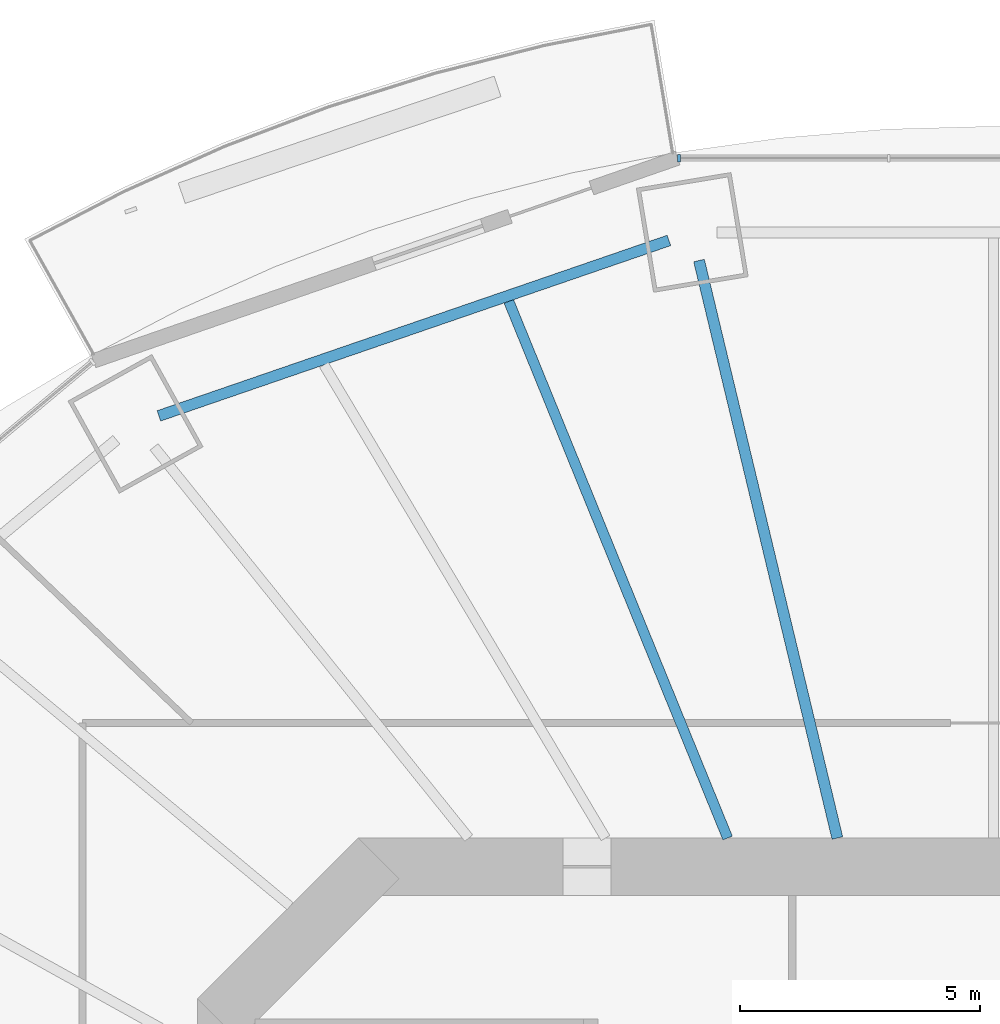
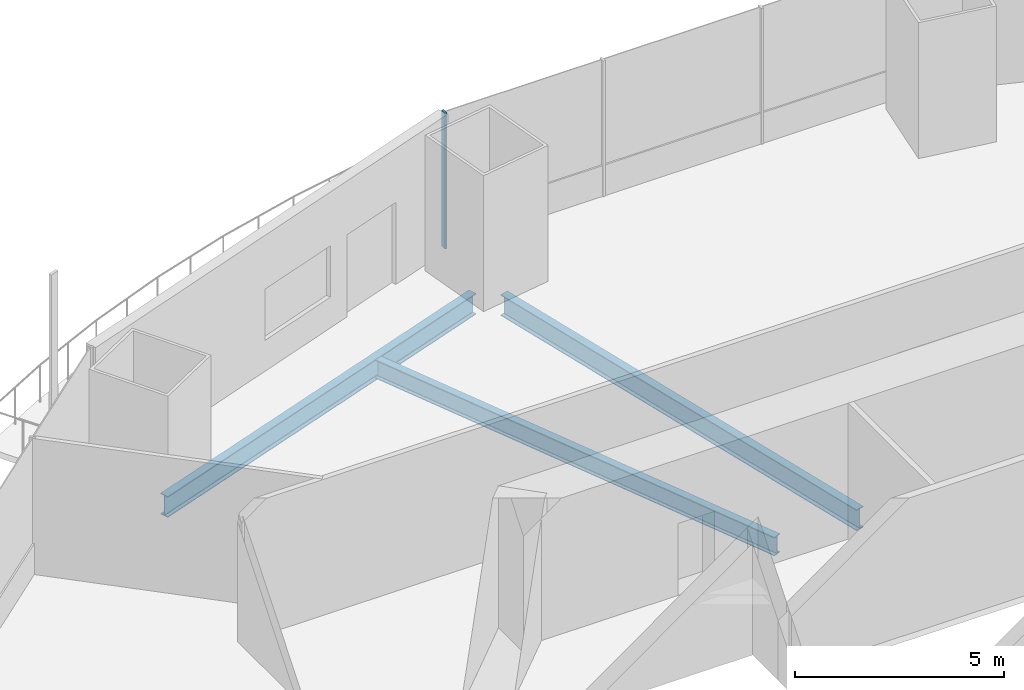
# One storey, part 7 of 21: 3 beams, 1 member, 1 element without a shape of its own.
"""IFC4 building model written with IfcOpenShell, lengths in metres."""

from ifc_helpers import new_model, si_unit, direction, frame, origin, origin_2d, place, context, subcontext, project, spatial, rectangle, i_section, extrude, material, material_profile, profile_set, type_object, element, aggregate, save


model = new_model("IFC4")

# Units and contexts
model_context = context("Model", 3, precision=1e-05, world=origin(), true_north=direction((0.0, 1.0)))
body_context = subcontext(model_context, "Body", "Model", "MODEL_VIEW")
ifc_project = project(units=[si_unit("LENGTHUNIT", "METRE"), si_unit("AREAUNIT", "SQUARE_METRE"), si_unit("VOLUMEUNIT", "CUBIC_METRE"), si_unit("PLANEANGLEUNIT", "RADIAN"), si_unit("MASSUNIT", "GRAM", prefix="KILO")], contexts=[model_context])

# Site, building, storey
site_placement = place(None, origin())
site = spatial("IfcSite", under=ifc_project, at=site_placement, CompositionType="ELEMENT")
building_placement = place(site_placement, origin())
building = spatial("IfcBuilding", under=site, at=building_placement, Name="Marenthal Gate Tower", CompositionType="ELEMENT")
storey_placement = place(building_placement, frame((0.0, 0.0, 128.449951171875)))
storey = spatial("IfcBuildingStorey", under=building, at=storey_placement, Name="L27", CompositionType="ELEMENT", Elevation=128.449951171875)

# Curtain wall, member
ifc_material_1 = material(Name="Aluminium and glass", Category="aluminium")
curtain_wall_type = type_object("IfcCurtainWallType", Name="Curtain wall typical low", PredefinedType="NOTDEFINED", material=ifc_material_1)
curtain_wall_placement = place(storey_placement, origin())
curtain_wall = element("IfcCurtainWall", 1, at=curtain_wall_placement, inside=storey, type_object=curtain_wall_type, Name="Curtain wall L27 bay 4", PredefinedType="NOTDEFINED")
ifc_material_2 = material(Name="Aluminium", Category="aluminium")
ifc_material_profile_1 = material_profile(ifc_material_2, rectangle(XDim=0.159912109375, YDim=0.06005859375, at=origin_2d()), Name="60x160 aluminium mullion")
ifc_profile_set_1 = profile_set([ifc_material_profile_1], Name="Aluminium")
member_type = type_object("IfcMemberType", Name="Mullion 60x160 typical low", PredefinedType="MULLION", material=ifc_profile_set_1)
member_placement = place(storey_placement, frame((-6.560791015625, 27.77783203125, 0.0), z_axis=(0.0, 0.0, 1.0), x_axis=(0.0, -1.0, 0.0)))
member = element("IfcMember", 2, at=member_placement, type_object=member_type, Name="Mullion L27 bay 4.4", PredefinedType="MULLION", context=body_context, shape_type="SweptSolid", body=[
    extrude(rectangle(XDim=0.159912109375, YDim=0.06005859375, at=origin_2d()), origin(), (0.0, 0.0, 1.0), 3.969970703125),
])
aggregate(curtain_wall, [member])

# Beams
ifc_material_3 = material(Name="Steel S355", Category="steel")
ifc_material_profile_2 = material_profile(ifc_material_3, i_section(OverallWidth=0.2119140625, OverallDepth=0.5439453125, WebThickness=0.01318359375, FlangeThickness=0.021240234375, FilletRadius=0.0126953125, at=origin_2d()), Name="W530X123")
ifc_profile_set_2 = profile_set([ifc_material_profile_2], Name="Steel S355")
beam_type_1 = type_object("IfcBeamType", Name="W530X123 beam", PredefinedType="BEAM", material=ifc_profile_set_2)
beam_1_placement = place(storey_placement, frame((-10.10888671875, 24.791015625, -0.451904296875), z_axis=(0.377578568114, -0.92597755097, 0.0), x_axis=(0.92597755097, 0.377578568114, 0.0)))
element("IfcBeam", 3, at=beam_1_placement, inside=storey, type_object=beam_type_1, Name="BM-L27-23", PredefinedType="BEAM", context=body_context, shape_type="SweptSolid", body=[
    extrude(i_section(OverallWidth=0.2119140625, OverallDepth=0.5439453125, WebThickness=0.01318359375, FlangeThickness=0.021240234375, FilletRadius=0.0126953125, at=origin_2d()), origin(), (0.0, 0.0, 1.0), 12.08544921875),
])
ifc_material_4 = material(Name="Steel S355", Category="steel")
ifc_material_profile_3 = material_profile(ifc_material_4, i_section(OverallWidth=0.22900390625, OverallDepth=0.612060546875, WebThickness=0.011962890625, FlangeThickness=0.01953125, FilletRadius=0.0126953125, at=origin_2d()), Name="W610X125")
ifc_profile_set_3 = profile_set([ifc_material_profile_3], Name="Steel S355")
beam_type_2 = type_object("IfcBeamType", Name="W610X125 beam", PredefinedType="BEAM", material=ifc_profile_set_3)
beam_2_placement = place(storey_placement, frame((-6.142333984375, 25.641845703125, -0.48583984375), z_axis=(0.232953092767, -0.972487972455, 0.0), x_axis=(0.972487972455, 0.232953092767, 0.0)))
element("IfcBeam", 4, at=beam_2_placement, inside=storey, type_object=beam_type_2, Name="BM-L27-05", PredefinedType="BEAM", context=body_context, shape_type="SweptSolid", body=[
    extrude(i_section(OverallWidth=0.22900390625, OverallDepth=0.612060546875, WebThickness=0.011962890625, FlangeThickness=0.01953125, FilletRadius=0.0126953125, at=origin_2d()), origin(), (0.0, 0.0, 1.0), 12.38232421875),
])
beam_3_placement = place(storey_placement, frame((-6.76904296875, 26.060791015625, -0.48583984375), z_axis=(-0.945627146872, -0.325252669626, 0.0), x_axis=(0.325252669626, -0.945627146872, 0.0)))
element("IfcBeam", 5, at=beam_3_placement, inside=storey, type_object=beam_type_2, Name="BM-L27-45", PredefinedType="BEAM", context=body_context, shape_type="SweptSolid", body=[
    extrude(i_section(OverallWidth=0.22900390625, OverallDepth=0.612060546875, WebThickness=0.011962890625, FlangeThickness=0.01953125, FilletRadius=0.0126953125, at=origin_2d()), origin(), (0.0, 0.0, 1.0), 11.24658203125),
])

save(model, "model.ifc")
